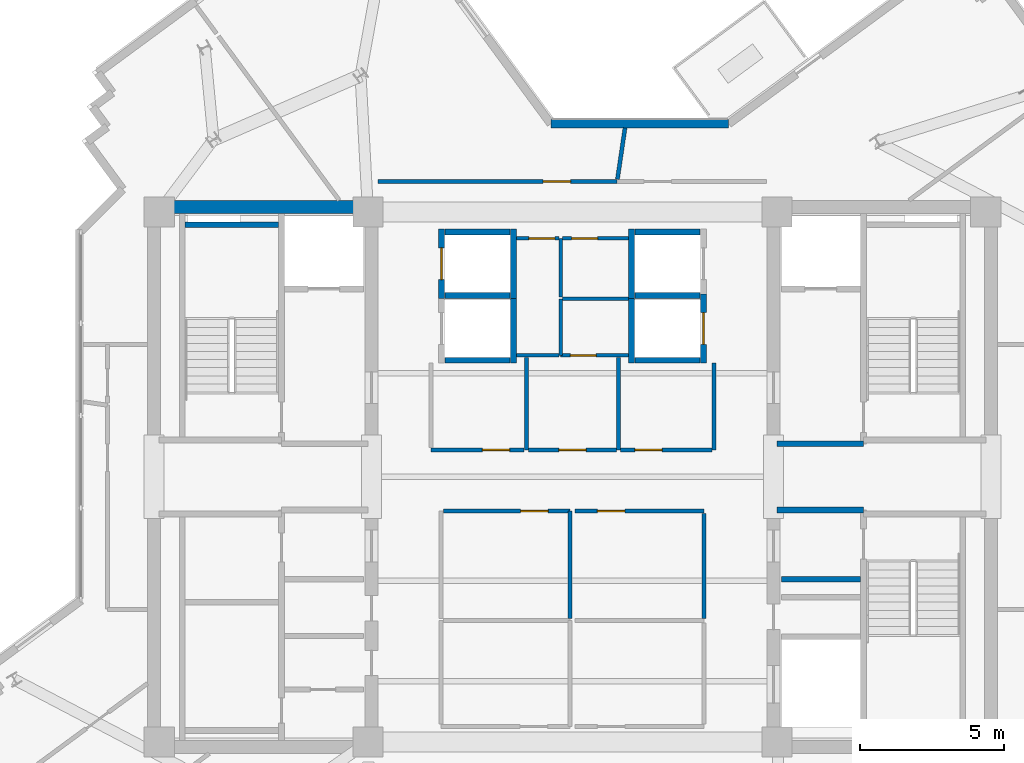
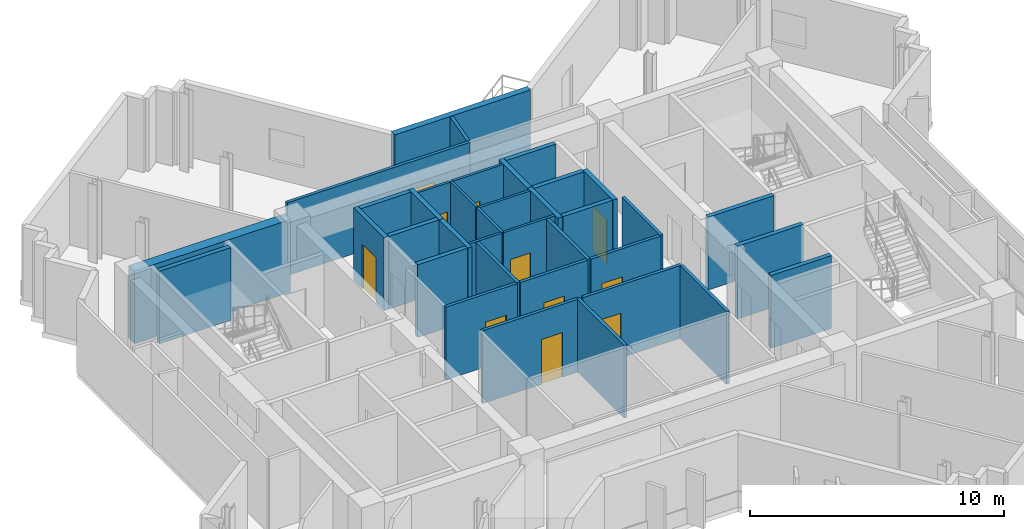
# One storey, part 8 of 13: 37 walls, 11 doors, 11 openings.
"""IFC4 building model written with IfcOpenShell, lengths in metres."""

from ifc_helpers import new_model, si_unit, direction, frame, frame_2d, origin, place, context, subcontext, project, spatial, rectangle, extrude, source, transform, mapped, material, layer, layer_set, type_object, element, fill, save


model = new_model("IFC4")

# Units and contexts
model_context = context("Model", 3, precision=1e-05, world=origin(), true_north=direction((0.0, 1.0)))
body_context = subcontext(model_context, "Body", "Model", "MODEL_VIEW")
ifc_project = project(units=[si_unit("LENGTHUNIT", "METRE"), si_unit("AREAUNIT", "SQUARE_METRE"), si_unit("VOLUMEUNIT", "CUBIC_METRE"), si_unit("PLANEANGLEUNIT", "RADIAN"), si_unit("MASSUNIT", "GRAM", prefix="KILO")], contexts=[model_context])

# Site, building, storey
site_placement = place(None, origin())
site = spatial("IfcSite", under=ifc_project, at=site_placement, CompositionType="ELEMENT")
building_placement = place(site_placement, origin())
building = spatial("IfcBuilding", under=site, at=building_placement, Name="Zahravan Cultural Tower", CompositionType="ELEMENT")
storey_placement = place(building_placement, frame((0.0, 0.0, 276.60009765625)))
storey = spatial("IfcBuildingStorey", under=building, at=storey_placement, Name="L66", CompositionType="ELEMENT", Elevation=276.60009765625)

# Wall, opening, door
ifc_material_1 = material(Name="Gypsum plasterboard partition")
ifc_layer_1 = layer(ifc_material_1, 0.139892578125)
ifc_layer_set_1 = layer_set([ifc_layer_1], Name="Gypsum plasterboard partition")
wall_type_1 = type_object("IfcWallType", Name="W-PART-140", PredefinedType="PARTITIONING", material=ifc_layer_set_1)
wall_1_placement = place(storey_placement, frame((37.52490234375, 27.93994140625, 0.0), z_axis=(0.0, 0.0, 1.0), x_axis=(-1.0, 0.0, 0.0)))
wall_1 = element("IfcWall", 1, at=wall_1_placement, inside=storey, type_object=wall_type_1, Name="L66 Interior Wall 053", PredefinedType="PARTITIONING", context=body_context, shape_type="SweptSolid", body=[
    extrude(rectangle(XDim=3.0498046875, YDim=0.139892578125, at=frame_2d((1.52490234375, 0.0))), origin(), (0.0, 0.0, 1.0), 3.5),
])
opening_1_placement = place(wall_1_placement, frame((1.050048828125, 0.0, 0.0)))
opening_1 = element("IfcOpeningElement", 2, at=opening_1_placement, cuts=wall_1, Name="Opening D-L66-21", PredefinedType="OPENING", context=body_context, shape_type="SweptSolid", body=[
    extrude(rectangle(XDim=0.949951171875, YDim=2.14990234375, at=frame_2d((0.47509765625, 1.074951171875))), frame((0.0, 0.079833984375, 0.0), z_axis=(0.0, -1.0, 0.0), x_axis=(1.0, 0.0, 0.0)), (0.0, 0.0, 1.0), 0.159912109375),
])
ifc_material_2 = material(Name="Anodised bronze-aluminium mullion", Category="aluminium")
door_type_1 = type_object("IfcDoorType", Name="DR-ROOM-950", OperationType="NOTDEFINED", PredefinedType="DOOR", material=ifc_material_2)
shared_shape_1 = source(origin(), body_context, "Body", "SweptSolid", [
    extrude(rectangle(XDim=0.949951171875, YDim=2.14990234375, at=frame_2d((0.47509765625, 1.074951171875))), frame((0.0, 0.02490234375, 0.0), z_axis=(0.0, -1.0, 0.0), x_axis=(1.0, 0.0, 0.0)), (0.0, 0.0, 1.0), 0.050048828125),
])
door_1_placement = place(opening_1_placement, origin())
door_1 = element("IfcDoor", 3, at=door_1_placement, inside=storey, type_object=door_type_1, Name="L66 Door D-L66-21", OperationType="SINGLE_SWING_LEFT", OverallHeight=2.14990234375, OverallWidth=0.949951171875, PredefinedType="DOOR", context=body_context, shape_type="MappedRepresentation", body=[
    mapped(shared_shape_1, transform((0.0, 0.0, 0.0), x_axis=(1.0, 0.0, 0.0), y_axis=(0.0, 1.0, 0.0), z_axis=(0.0, 0.0, 1.0), scale=1.0)),
])
fill(opening_1, door_1)

wall_2_placement = place(storey_placement, frame((34.324951171875, 27.93994140625, 0.0), z_axis=(0.0, 0.0, 1.0), x_axis=(-1.0, 0.0, 0.0)))
wall_2 = element("IfcWall", 4, at=wall_2_placement, inside=storey, type_object=wall_type_1, Name="L66 Interior Wall 054", PredefinedType="PARTITIONING", context=body_context, shape_type="SweptSolid", body=[
    extrude(rectangle(XDim=3.244873046875, YDim=0.139892578125, at=frame_2d((1.62255859375, 0.0))), origin(), (0.0, 0.0, 1.0), 3.5),
])
opening_2_placement = place(wall_2_placement, frame((0.5048828125, 0.0, 0.0)))
opening_2 = element("IfcOpeningElement", 5, at=opening_2_placement, cuts=wall_2, Name="Opening D-L66-20", PredefinedType="OPENING", context=body_context, shape_type="SweptSolid", body=[
    extrude(rectangle(XDim=0.949951171875, YDim=2.14990234375, at=frame_2d((0.47509765625, 1.074951171875))), frame((0.0, 0.079833984375, 0.0), z_axis=(0.0, -1.0, 0.0), x_axis=(1.0, 0.0, 0.0)), (0.0, 0.0, 1.0), 0.159912109375),
])
door_2_placement = place(opening_2_placement, origin())
door_2 = element("IfcDoor", 6, at=door_2_placement, inside=storey, type_object=door_type_1, Name="L66 Door D-L66-20", OperationType="SINGLE_SWING_RIGHT", OverallHeight=2.14990234375, OverallWidth=0.949951171875, PredefinedType="DOOR", context=body_context, shape_type="MappedRepresentation", body=[
    mapped(shared_shape_1, transform((0.0, 0.0, 0.0), x_axis=(1.0, 0.0, 0.0), y_axis=(0.0, 1.0, 0.0), z_axis=(0.0, 0.0, 1.0), scale=1.0)),
])
fill(opening_2, door_2)

wall_3_placement = place(storey_placement, frame((40.844970703125, 27.93994140625, 0.0), z_axis=(0.0, 0.0, 1.0), x_axis=(-1.0, 0.0, 0.0)))
wall_3 = element("IfcWall", 7, at=wall_3_placement, inside=storey, type_object=wall_type_1, Name="L66 Interior Wall 057", PredefinedType="PARTITIONING", context=body_context, shape_type="SweptSolid", body=[
    extrude(rectangle(XDim=3.169921875, YDim=0.139892578125, at=frame_2d((1.5849609375, 0.0))), origin(), (0.0, 0.0, 1.0), 3.5),
])
opening_3_placement = place(wall_3_placement, frame((1.731689453125, 0.0, 0.0)))
opening_3 = element("IfcOpeningElement", 8, at=opening_3_placement, cuts=wall_3, Name="Opening D-L66-22", PredefinedType="OPENING", context=body_context, shape_type="SweptSolid", body=[
    extrude(rectangle(XDim=0.949951171875, YDim=2.14990234375, at=frame_2d((0.47509765625, 1.074951171875))), frame((0.0, 0.079833984375, 0.0), z_axis=(0.0, -1.0, 0.0), x_axis=(1.0, 0.0, 0.0)), (0.0, 0.0, 1.0), 0.159912109375),
])
door_3_placement = place(opening_3_placement, origin())
door_3 = element("IfcDoor", 9, at=door_3_placement, inside=storey, type_object=door_type_1, Name="L66 Door D-L66-22", OperationType="SINGLE_SWING_RIGHT", OverallHeight=2.14990234375, OverallWidth=0.949951171875, PredefinedType="DOOR", context=body_context, shape_type="MappedRepresentation", body=[
    mapped(shared_shape_1, transform((0.0, 0.0, 0.0), x_axis=(1.0, 0.0, 0.0), y_axis=(0.0, 1.0, 0.0), z_axis=(0.0, 0.0, 1.0), scale=1.0)),
])
fill(opening_3, door_3)

wall_4_placement = place(storey_placement, frame((31.514892578125, 25.81005859375, 0.0), z_axis=(0.0, 0.0, 1.0), x_axis=(1.0, 0.0, 0.0)))
wall_4 = element("IfcWall", 10, at=wall_4_placement, inside=storey, type_object=wall_type_1, Name="L66 Interior Wall 066", PredefinedType="PARTITIONING", context=body_context, shape_type="SweptSolid", body=[
    extrude(rectangle(XDim=4.39501953125, YDim=0.139892578125, at=frame_2d((2.197509765625, 0.0))), origin(), (0.0, 0.0, 1.0), 3.5),
])
opening_4_placement = place(wall_4_placement, frame((2.68701171875, 0.0, 0.0)))
opening_4 = element("IfcOpeningElement", 11, at=opening_4_placement, cuts=wall_4, Name="Opening D-L66-15", PredefinedType="OPENING", context=body_context, shape_type="SweptSolid", body=[
    extrude(rectangle(XDim=0.949951171875, YDim=2.14990234375, at=frame_2d((0.47509765625, 1.074951171875))), frame((0.0, 0.079833984375, 0.0), z_axis=(0.0, -1.0, 0.0), x_axis=(1.0, 0.0, 0.0)), (0.0, 0.0, 1.0), 0.159912109375),
])
door_4_placement = place(opening_4_placement, origin())
door_4 = element("IfcDoor", 12, at=door_4_placement, inside=storey, type_object=door_type_1, Name="L66 Door D-L66-15", OperationType="SINGLE_SWING_LEFT", OverallHeight=2.14990234375, OverallWidth=0.949951171875, PredefinedType="DOOR", context=body_context, shape_type="MappedRepresentation", body=[
    mapped(shared_shape_1, transform((0.0, 0.0, 0.0), x_axis=(1.0, 0.0, 0.0), y_axis=(0.0, 1.0, 0.0), z_axis=(0.0, 0.0, 1.0), scale=1.0)),
])
fill(opening_4, door_4)

wall_5_placement = place(storey_placement, frame((36.090087890625, 25.81005859375, 0.0), z_axis=(0.0, 0.0, 1.0), x_axis=(1.0, 0.0, 0.0)))
wall_5 = element("IfcWall", 13, at=wall_5_placement, inside=storey, type_object=wall_type_1, Name="L66 Interior Wall 068", PredefinedType="PARTITIONING", context=body_context, shape_type="SweptSolid", body=[
    extrude(rectangle(XDim=4.469970703125, YDim=0.139892578125, at=frame_2d((2.23486328125, 0.0))), origin(), (0.0, 0.0, 1.0), 3.5),
])
opening_5_placement = place(wall_5_placement, frame((0.7744140625, 0.0, 0.0)))
opening_5 = element("IfcOpeningElement", 14, at=opening_5_placement, cuts=wall_5, Name="Opening D-L66-17", PredefinedType="OPENING", context=body_context, shape_type="SweptSolid", body=[
    extrude(rectangle(XDim=0.949951171875, YDim=2.14990234375, at=frame_2d((0.47509765625, 1.074951171875))), frame((0.0, 0.079833984375, 0.0), z_axis=(0.0, -1.0, 0.0), x_axis=(1.0, 0.0, 0.0)), (0.0, 0.0, 1.0), 0.159912109375),
])
door_5_placement = place(opening_5_placement, origin())
door_5 = element("IfcDoor", 15, at=door_5_placement, inside=storey, type_object=door_type_1, Name="L66 Door D-L66-17", OperationType="SINGLE_SWING_LEFT", OverallHeight=2.14990234375, OverallWidth=0.949951171875, PredefinedType="DOOR", context=body_context, shape_type="MappedRepresentation", body=[
    mapped(shared_shape_1, transform((0.0, 0.0, 0.0), x_axis=(1.0, 0.0, 0.0), y_axis=(0.0, 1.0, 0.0), z_axis=(0.0, 0.0, 1.0), scale=1.0)),
])
fill(opening_5, door_5)

wall_6_placement = place(storey_placement, frame((37.55029296875, 37.260009765625, 0.0), z_axis=(0.0, 0.0, 1.0), x_axis=(-0.999999998268, -5.8852956e-05, 0.0)))
wall_6 = element("IfcWall", 16, at=wall_6_placement, inside=storey, type_object=wall_type_1, Name="L66 Interior Wall 103", PredefinedType="PARTITIONING", context=body_context, shape_type="SweptSolid", body=[
    extrude(rectangle(XDim=8.296630859375, YDim=0.139892578125, at=frame_2d((4.1484375, 0.0))), origin(), (0.0, 0.0, 1.0), 3.5),
])
opening_6_placement = place(wall_6_placement, frame((1.6162109375, 0.0, 0.0)))
opening_6 = element("IfcOpeningElement", 17, at=opening_6_placement, cuts=wall_6, Name="Opening D-L66-25", PredefinedType="OPENING", context=body_context, shape_type="SweptSolid", body=[
    extrude(rectangle(XDim=0.949951171875, YDim=2.14990234375, at=frame_2d((0.47509765625, 1.074951171875))), frame((0.0, 0.079833984375, 0.0), z_axis=(0.0, -1.0, 0.0), x_axis=(1.0, 0.0, 0.0)), (0.0, 0.0, 1.0), 0.159912109375),
])
door_6_placement = place(opening_6_placement, origin())
door_6 = element("IfcDoor", 18, at=door_6_placement, inside=storey, type_object=door_type_1, Name="L66 Door D-L66-25", OperationType="SINGLE_SWING_LEFT", OverallHeight=2.14990234375, OverallWidth=0.949951171875, PredefinedType="DOOR", context=body_context, shape_type="MappedRepresentation", body=[
    mapped(shared_shape_1, transform((0.0, 0.0, 0.0), x_axis=(1.0, 0.0, 0.0), y_axis=(0.0, 1.0, 0.0), z_axis=(0.0, 0.0, 1.0), scale=1.0)),
])
fill(opening_6, door_6)

ifc_material_3 = material(Name="Concrete C45/55", Category="concrete")
ifc_layer_2 = layer(ifc_material_3, 0.199951171875)
ifc_layer_set_2 = layer_set([ifc_layer_2], Name="Concrete C45/55")
wall_type_2 = type_object("IfcWallType", Name="W-SHAFT-200", PredefinedType="SOLIDWALL", material=ifc_layer_set_2)
wall_7_placement = place(storey_placement, frame((31.449951171875, 33.199951171875, 0.0), z_axis=(0.0, 0.0, 1.0), x_axis=(0.0, 1.0, 0.0)))
wall_7 = element("IfcWall", 19, at=wall_7_placement, inside=storey, type_object=wall_type_2, Name="L66 Interior Wall 030", PredefinedType="SOLIDWALL", context=body_context, shape_type="SweptSolid", body=[
    extrude(rectangle(XDim=2.400146484375, YDim=0.199951171875, at=frame_2d((1.2001953125, 0.0))), origin(), (0.0, 0.0, 1.0), 3.5),
])
opening_7_placement = place(wall_7_placement, frame((0.64990234375, 0.0, 0.0)))
opening_7 = element("IfcOpeningElement", 20, at=opening_7_placement, cuts=wall_7, Name="Opening LD-L66-04", PredefinedType="OPENING", context=body_context, shape_type="SweptSolid", body=[
    extrude(rectangle(XDim=1.10009765625, YDim=2.14990234375, at=frame_2d((0.550048828125, 1.074951171875))), frame((0.0, 0.10986328125, 0.0), z_axis=(0.0, -1.0, 0.0), x_axis=(1.0, 0.0, 0.0)), (0.0, 0.0, 1.0), 0.219970703125),
])
ifc_material_4 = material(Name="Steel ASTM A572 Grade 50", Category="steel")
door_type_2 = type_object("IfcDoorType", Name="DR-LIFT-1100", OperationType="DOUBLE_DOOR_SLIDING", PredefinedType="DOOR", material=ifc_material_4)
shared_shape_2 = source(origin(), body_context, "Body", "SweptSolid", [
    extrude(rectangle(XDim=1.10009765625, YDim=2.14990234375, at=frame_2d((0.550048828125, 1.074951171875))), frame((0.0, 0.02490234375, 0.0), z_axis=(0.0, -1.0, 0.0), x_axis=(1.0, 0.0, 0.0)), (0.0, 0.0, 1.0), 0.050048828125),
])
door_7_placement = place(opening_7_placement, origin())
door_7 = element("IfcDoor", 21, at=door_7_placement, inside=storey, type_object=door_type_2, Name="L66 Door LD-L66-04", OperationType="DOUBLE_DOOR_SLIDING", OverallHeight=2.14990234375, OverallWidth=1.10009765625, PredefinedType="DOOR", context=body_context, shape_type="MappedRepresentation", body=[
    mapped(shared_shape_2, transform((0.0, 0.0, 0.0), x_axis=(1.0, 0.0, 0.0), y_axis=(0.0, 1.0, 0.0), z_axis=(0.0, 0.0, 1.0), scale=1.0)),
])
fill(opening_7, door_7)

wall_8_placement = place(storey_placement, frame((40.550048828125, 30.949951171875, 0.0), z_axis=(0.0, 0.0, 1.0), x_axis=(0.0, 1.0, 0.0)))
wall_8 = element("IfcWall", 22, at=wall_8_placement, inside=storey, type_object=wall_type_2, Name="L66 Interior Wall 042", PredefinedType="SOLIDWALL", context=body_context, shape_type="SweptSolid", body=[
    extrude(rectangle(XDim=2.400146484375, YDim=0.199951171875, at=frame_2d((1.2001953125, 0.0))), origin(), (0.0, 0.0, 1.0), 3.5),
])
opening_8_placement = place(wall_8_placement, frame((0.64990234375, 0.0, 0.0)))
opening_8 = element("IfcOpeningElement", 23, at=opening_8_placement, cuts=wall_8, Name="Opening LD-L66-07", PredefinedType="OPENING", context=body_context, shape_type="SweptSolid", body=[
    extrude(rectangle(XDim=1.10009765625, YDim=2.14990234375, at=frame_2d((0.550048828125, 1.074951171875))), frame((0.0, 0.10986328125, 0.0), z_axis=(0.0, -1.0, 0.0), x_axis=(1.0, 0.0, 0.0)), (0.0, 0.0, 1.0), 0.219970703125),
])
door_8_placement = place(opening_8_placement, origin())
door_8 = element("IfcDoor", 24, at=door_8_placement, inside=storey, type_object=door_type_2, Name="L66 Door LD-L66-07", OperationType="DOUBLE_DOOR_SLIDING", OverallHeight=2.14990234375, OverallWidth=1.10009765625, PredefinedType="DOOR", context=body_context, shape_type="MappedRepresentation", body=[
    mapped(shared_shape_2, transform((0.0, 0.0, 0.0), x_axis=(1.0, 0.0, 0.0), y_axis=(0.0, 1.0, 0.0), z_axis=(0.0, 0.0, 1.0), scale=1.0)),
])
fill(opening_8, door_8)

ifc_layer_3 = layer(ifc_material_1, 0.114990234375)
ifc_layer_set_3 = layer_set([ifc_layer_3], Name="Gypsum plasterboard partition")
wall_type_3 = type_object("IfcWallType", Name="W-WC-115", PredefinedType="PARTITIONING", material=ifc_layer_set_3)
wall_9_placement = place(storey_placement, frame((37.945068359375, 31.219970703125, 0.0), z_axis=(0.0, 0.0, 1.0), x_axis=(-1.0, 0.0, 0.0)))
wall_9 = element("IfcWall", 25, at=wall_9_placement, inside=storey, type_object=wall_type_3, Name="L66 Interior Wall 044", PredefinedType="PARTITIONING", context=body_context, shape_type="SweptSolid", body=[
    extrude(rectangle(XDim=2.35498046875, YDim=0.114990234375, at=frame_2d((1.177490234375, 0.0))), origin(), (0.0, 0.0, 1.0), 3.5),
])
opening_9_placement = place(wall_9_placement, frame((1.120849609375, 0.0, 0.0)))
opening_9 = element("IfcOpeningElement", 26, at=opening_9_placement, cuts=wall_9, Name="Opening D-L66-32", PredefinedType="OPENING", context=body_context, shape_type="SweptSolid", body=[
    extrude(rectangle(XDim=0.89990234375, YDim=2.10009765625, at=frame_2d((0.449951171875, 1.050048828125))), frame((0.0, 0.0673828125, 0.0), z_axis=(0.0, -1.0, 0.0), x_axis=(1.0, 0.0, 0.0)), (0.0, 0.0, 1.0), 0.135009765625),
])
door_type_3 = type_object("IfcDoorType", Name="DR-WC-900", OperationType="NOTDEFINED", PredefinedType="DOOR", material=ifc_material_2)
shared_shape_3 = source(origin(), body_context, "Body", "SweptSolid", [
    extrude(rectangle(XDim=0.89990234375, YDim=2.10009765625, at=frame_2d((0.449951171875, 1.050048828125))), frame((0.0, 0.02490234375, 0.0), z_axis=(0.0, -1.0, 0.0), x_axis=(1.0, 0.0, 0.0)), (0.0, 0.0, 1.0), 0.050048828125),
])
door_9_placement = place(opening_9_placement, origin())
door_9 = element("IfcDoor", 27, at=door_9_placement, inside=storey, type_object=door_type_3, Name="L66 Door D-L66-32", OperationType="SINGLE_SWING_RIGHT", OverallHeight=2.10009765625, OverallWidth=0.89990234375, PredefinedType="DOOR", context=body_context, shape_type="MappedRepresentation", body=[
    mapped(shared_shape_3, transform((0.0, 0.0, 0.0), x_axis=(1.0, 0.0, 0.0), y_axis=(0.0, 1.0, 0.0), z_axis=(0.0, 0.0, 1.0), scale=1.0)),
])
fill(opening_9, door_9)

wall_10_placement = place(storey_placement, frame((35.652587890625, 35.280029296875, 0.0), z_axis=(0.0, 0.0, 1.0), x_axis=(1.0, 0.0, 0.0)))
wall_10 = element("IfcWall", 28, at=wall_10_placement, inside=storey, type_object=wall_type_3, Name="L66 Interior Wall 048", PredefinedType="PARTITIONING", context=body_context, shape_type="SweptSolid", body=[
    extrude(rectangle(XDim=2.29248046875, YDim=0.114990234375, at=frame_2d((1.146240234375, 0.0))), origin(), (0.0, 0.0, 1.0), 3.5),
])
opening_10_placement = place(wall_10_placement, frame((0.3203125, 0.0, 0.0)))
opening_10 = element("IfcOpeningElement", 29, at=opening_10_placement, cuts=wall_10, Name="Opening D-L66-19", PredefinedType="OPENING", context=body_context, shape_type="SweptSolid", body=[
    extrude(rectangle(XDim=0.89990234375, YDim=2.10009765625, at=frame_2d((0.449951171875, 1.050048828125))), frame((0.0, 0.0673828125, 0.0), z_axis=(0.0, -1.0, 0.0), x_axis=(1.0, 0.0, 0.0)), (0.0, 0.0, 1.0), 0.135009765625),
])
door_10_placement = place(opening_10_placement, origin())
door_10 = element("IfcDoor", 30, at=door_10_placement, inside=storey, type_object=door_type_3, Name="L66 Door D-L66-19", OperationType="SINGLE_SWING_LEFT", OverallHeight=2.10009765625, OverallWidth=0.89990234375, PredefinedType="DOOR", context=body_context, shape_type="MappedRepresentation", body=[
    mapped(shared_shape_3, transform((0.0, 0.0, 0.0), x_axis=(1.0, 0.0, 0.0), y_axis=(0.0, 1.0, 0.0), z_axis=(0.0, 0.0, 1.0), scale=1.0)),
])
fill(opening_10, door_10)

wall_11_placement = place(storey_placement, frame((34.054931640625, 35.280029296875, 0.0), z_axis=(0.0, 0.0, 1.0), x_axis=(1.0, 0.0, 0.0)))
wall_11 = element("IfcWall", 31, at=wall_11_placement, inside=storey, type_object=wall_type_3, Name="L66 Interior Wall 050", PredefinedType="PARTITIONING", context=body_context, shape_type="SweptSolid", body=[
    extrude(rectangle(XDim=1.47265625, YDim=0.114990234375, at=frame_2d((0.736328125, 0.0))), origin(), (0.0, 0.0, 1.0), 3.5),
])
opening_11_placement = place(wall_11_placement, frame((0.4326171875, 0.0, 0.0)))
opening_11 = element("IfcOpeningElement", 32, at=opening_11_placement, cuts=wall_11, Name="Opening D-L66-18", PredefinedType="OPENING", context=body_context, shape_type="SweptSolid", body=[
    extrude(rectangle(XDim=0.89990234375, YDim=2.10009765625, at=frame_2d((0.449951171875, 1.050048828125))), frame((0.0, 0.0673828125, 0.0), z_axis=(0.0, -1.0, 0.0), x_axis=(1.0, 0.0, 0.0)), (0.0, 0.0, 1.0), 0.135009765625),
])
door_11_placement = place(opening_11_placement, origin())
door_11 = element("IfcDoor", 33, at=door_11_placement, inside=storey, type_object=door_type_3, Name="L66 Door D-L66-18", OperationType="SINGLE_SWING_RIGHT", OverallHeight=2.10009765625, OverallWidth=0.89990234375, PredefinedType="DOOR", context=body_context, shape_type="MappedRepresentation", body=[
    mapped(shared_shape_3, transform((0.0, 0.0, 0.0), x_axis=(1.0, 0.0, 0.0), y_axis=(0.0, 1.0, 0.0), z_axis=(0.0, 0.0, 1.0), scale=1.0)),
])
fill(opening_11, door_11)

# Walls
ifc_material_5 = material(Name="Concrete C50/60", Category="concrete")
ifc_layer_4 = layer(ifc_material_5, 0.449951171875)
ifc_layer_set_4 = layer_set([ifc_layer_4], Name="Concrete C50/60")
wall_type_4 = type_object("IfcWallType", Name="CW-SHEAR-450-C50", PredefinedType="SHEAR", material=ifc_layer_set_4)
shared_shape_4 = source(origin(), body_context, "Body", "SweptSolid", [
    extrude(rectangle(XDim=7.10009765625, YDim=0.449951171875, at=frame_2d((3.550048828125, 0.0))), origin(), (0.0, 0.0, 1.0), 3.5),
])
wall_12_placement = place(storey_placement, frame((21.699951171875, 36.375, 0.0), z_axis=(0.0, 0.0, 1.0), x_axis=(1.0, 0.0, 0.0)))
element("IfcWall", 34, at=wall_12_placement, inside=storey, type_object=wall_type_4, Name="L66 Core Shear Wall CW-W-N-L66", PredefinedType="SHEAR", context=body_context, shape_type="MappedRepresentation", body=[
    mapped(shared_shape_4, transform((0.0, 0.0, 0.0), x_axis=(1.0, 0.0, 0.0), y_axis=(0.0, 1.0, 0.0), z_axis=(0.0, 0.0, 1.0), scale=1.0)),
])
ifc_material_6 = material(Name="Precast concrete C40/50", Category="concrete")
ifc_layer_5 = layer(ifc_material_6, 0.280029296875)
ifc_layer_set_5 = layer_set([ifc_layer_5], Name="Precast concrete C40/50")
wall_type_5 = type_object("IfcWallType", Name="EW-TC-280", PredefinedType="SOLIDWALL", material=ifc_layer_set_5)
shared_shape_5 = source(origin(), body_context, "Body", "SweptSolid", [
    extrude(rectangle(XDim=6.176513671875, YDim=0.280029296875, at=frame_2d((3.08837890625, 0.0))), origin(), (0.0, 0.0, 1.0), 3.5),
])
wall_13_placement = place(storey_placement, frame((35.24658203125, 39.260009765625, 0.0), z_axis=(0.0, 0.0, 1.0), x_axis=(1.0, 0.0, 0.0)))
element("IfcWall", 35, at=wall_13_placement, inside=storey, type_object=wall_type_5, Name="L66 Exterior Masonry Frame Wall 48", PredefinedType="SOLIDWALL", context=body_context, shape_type="MappedRepresentation", body=[
    mapped(shared_shape_5, transform((0.0, 0.0, 0.0), x_axis=(1.0, 0.0, 0.0), y_axis=(0.0, 1.0, 0.0), z_axis=(0.0, 0.0, 1.0), scale=1.0)),
])
shared_shape_6 = source(origin(), body_context, "Body", "SweptSolid", [
    extrude(rectangle(XDim=3.0, YDim=0.199951171875, at=frame_2d((1.5, 0.0))), origin(), (0.0, 0.0, 1.0), 3.5),
])
for number, where, z_axis, x_axis, name in (
    (36, (43.10009765625, 25.85009765625, 0.0), (0.0, 0.0, 1.0), (1.0, 0.0, 0.0), "L66 Interior Wall 013"),
    (37, (43.10009765625, 28.14990234375, 0.0), (0.0, 0.0, 1.0), (1.0, 0.0, 0.0), "L66 Interior Wall 015"),
):
    element("IfcWall", number, at=place(storey_placement, frame(where, z_axis=z_axis, x_axis=x_axis)), inside=storey, type_object=wall_type_2, Name=name, PredefinedType="SOLIDWALL", context=body_context, shape_type="MappedRepresentation", body=[
        mapped(shared_shape_6, transform((0.0, 0.0, 0.0), x_axis=(1.0, 0.0, 0.0), y_axis=(0.0, 1.0, 0.0), z_axis=(0.0, 0.0, 1.0), scale=1.0)),
    ])
shared_shape_7 = source(origin(), body_context, "Body", "SweptSolid", [
    extrude(rectangle(XDim=3.25, YDim=0.199951171875, at=frame_2d((1.625, 0.0))), origin(), (0.0, 0.0, 1.0), 3.5),
])
wall_14_placement = place(storey_placement, frame((22.550048828125, 35.75, 0.0), z_axis=(0.0, 0.0, 1.0), x_axis=(1.0, 0.0, 0.0)))
element("IfcWall", 38, at=wall_14_placement, inside=storey, type_object=wall_type_2, Name="L66 Interior Wall 017", PredefinedType="SOLIDWALL", context=body_context, shape_type="MappedRepresentation", body=[
    mapped(shared_shape_7, transform((0.0, 0.0, 0.0), x_axis=(1.0, 0.0, 0.0), y_axis=(0.0, 1.0, 0.0), z_axis=(0.0, 0.0, 1.0), scale=1.0)),
])
shared_shape_8 = source(origin(), body_context, "Body", "SweptSolid", [
    extrude(rectangle(XDim=2.75, YDim=0.199951171875, at=frame_2d((1.375, 0.0))), origin(), (0.0, 0.0, 1.0), 3.5),
])
wall_15_placement = place(storey_placement, frame((43.25, 23.449951171875, 0.0), z_axis=(0.0, 0.0, 1.0), x_axis=(1.0, 0.0, 0.0)))
element("IfcWall", 39, at=wall_15_placement, inside=storey, type_object=wall_type_2, Name="L66 Interior Wall 025", PredefinedType="SOLIDWALL", context=body_context, shape_type="MappedRepresentation", body=[
    mapped(shared_shape_8, transform((0.0, 0.0, 0.0), x_axis=(1.0, 0.0, 0.0), y_axis=(0.0, 1.0, 0.0), z_axis=(0.0, 0.0, 1.0), scale=1.0)),
])
shared_shape_9 = source(origin(), body_context, "Body", "SweptSolid", [
    extrude(rectangle(XDim=2.400146484375, YDim=0.199951171875, at=frame_2d((1.2001953125, 0.0))), origin(), (0.0, 0.0, 1.0), 3.5),
])
for number, where, z_axis, x_axis, name in (
    (40, (33.949951171875, 33.199951171875, 0.0), (0.0, 0.0, 1.0), (0.0, 1.0, 0.0), "L66 Interior Wall 031"),
    (41, (33.949951171875, 30.949951171875, 0.0), (0.0, 0.0, 1.0), (0.0, 1.0, 0.0), "L66 Interior Wall 035"),
    (42, (38.050048828125, 33.199951171875, 0.0), (0.0, 0.0, 1.0), (0.0, 1.0, 0.0), "L66 Interior Wall 037"),
    (43, (38.050048828125, 30.949951171875, 0.0), (0.0, 0.0, 1.0), (0.0, 1.0, 0.0), "L66 Interior Wall 041"),
):
    element("IfcWall", number, at=place(storey_placement, frame(where, z_axis=z_axis, x_axis=x_axis)), inside=storey, type_object=wall_type_2, Name=name, PredefinedType="SOLIDWALL", context=body_context, shape_type="MappedRepresentation", body=[
        mapped(shared_shape_9, transform((0.0, 0.0, 0.0), x_axis=(1.0, 0.0, 0.0), y_axis=(0.0, 1.0, 0.0), z_axis=(0.0, 0.0, 1.0), scale=1.0)),
    ])
shared_shape_10 = source(origin(), body_context, "Body", "SweptSolid", [
    extrude(rectangle(XDim=2.260009765625, YDim=0.199951171875, at=frame_2d((1.1298828125, 0.0))), origin(), (0.0, 0.0, 1.0), 3.5),
])
for number, where, z_axis, x_axis, name in (
    (44, (31.570068359375, 33.300048828125, 0.0), (0.0, 0.0, 1.0), (1.0, 0.0, 0.0), "L66 Interior Wall 032"),
    (45, (31.570068359375, 35.5, 0.0), (0.0, 0.0, 1.0), (1.0, 0.0, 0.0), "L66 Interior Wall 033"),
    (46, (31.570068359375, 31.050048828125, 0.0), (0.0, 0.0, 1.0), (1.0, 0.0, 0.0), "L66 Interior Wall 036"),
    (47, (38.169921875, 33.300048828125, 0.0), (0.0, 0.0, 1.0), (1.0, 0.0, 0.0), "L66 Interior Wall 039"),
    (48, (38.169921875, 35.5, 0.0), (0.0, 0.0, 1.0), (1.0, 0.0, 0.0), "L66 Interior Wall 040"),
    (49, (38.169921875, 31.050048828125, 0.0), (0.0, 0.0, 1.0), (1.0, 0.0, 0.0), "L66 Interior Wall 043"),
):
    element("IfcWall", number, at=place(storey_placement, frame(where, z_axis=z_axis, x_axis=x_axis)), inside=storey, type_object=wall_type_2, Name=name, PredefinedType="SOLIDWALL", context=body_context, shape_type="MappedRepresentation", body=[
        mapped(shared_shape_10, transform((0.0, 0.0, 0.0), x_axis=(1.0, 0.0, 0.0), y_axis=(0.0, 1.0, 0.0), z_axis=(0.0, 0.0, 1.0), scale=1.0)),
    ])
shared_shape_11 = source(origin(), body_context, "Body", "SweptSolid", [
    extrude(rectangle(XDim=1.9599609375, YDim=0.114990234375, at=frame_2d((0.97998046875, 0.0))), origin(), (0.0, 0.0, 1.0), 3.5),
])
wall_16_placement = place(storey_placement, frame((35.590087890625, 31.219970703125, 0.0), z_axis=(0.0, 0.0, 1.0), x_axis=(0.0, 1.0, 0.0)))
element("IfcWall", 50, at=wall_16_placement, inside=storey, type_object=wall_type_3, Name="L66 Interior Wall 045", PredefinedType="PARTITIONING", context=body_context, shape_type="MappedRepresentation", body=[
    mapped(shared_shape_11, transform((0.0, 0.0, 0.0), x_axis=(1.0, 0.0, 0.0), y_axis=(0.0, 1.0, 0.0), z_axis=(0.0, 0.0, 1.0), scale=1.0)),
])
shared_shape_12 = source(origin(), body_context, "Body", "SweptSolid", [
    extrude(rectangle(XDim=2.29248046875, YDim=0.114990234375, at=frame_2d((1.146240234375, 0.0))), origin(), (0.0, 0.0, 1.0), 3.5),
])
wall_17_placement = place(storey_placement, frame((35.652587890625, 33.179931640625, 0.0), z_axis=(0.0, 0.0, 1.0), x_axis=(1.0, 0.0, 0.0)))
element("IfcWall", 51, at=wall_17_placement, inside=storey, type_object=wall_type_3, Name="L66 Interior Wall 046", PredefinedType="PARTITIONING", context=body_context, shape_type="MappedRepresentation", body=[
    mapped(shared_shape_12, transform((0.0, 0.0, 0.0), x_axis=(1.0, 0.0, 0.0), y_axis=(0.0, 1.0, 0.0), z_axis=(0.0, 0.0, 1.0), scale=1.0)),
])
shared_shape_13 = source(origin(), body_context, "Body", "SweptSolid", [
    extrude(rectangle(XDim=2.0400390625, YDim=0.114990234375, at=frame_2d((1.02001953125, 0.0))), origin(), (0.0, 0.0, 1.0), 3.5),
])
wall_18_placement = place(storey_placement, frame((35.590087890625, 33.239990234375, 0.0), z_axis=(0.0, 0.0, 1.0), x_axis=(0.0, 1.0, 0.0)))
element("IfcWall", 52, at=wall_18_placement, inside=storey, type_object=wall_type_3, Name="L66 Interior Wall 047", PredefinedType="PARTITIONING", context=body_context, shape_type="MappedRepresentation", body=[
    mapped(shared_shape_13, transform((0.0, 0.0, 0.0), x_axis=(1.0, 0.0, 0.0), y_axis=(0.0, 1.0, 0.0), z_axis=(0.0, 0.0, 1.0), scale=1.0)),
])
shared_shape_14 = source(origin(), body_context, "Body", "SweptSolid", [
    extrude(rectangle(XDim=1.47265625, YDim=0.114990234375, at=frame_2d((0.736328125, 0.0))), origin(), (0.0, 0.0, 1.0), 3.5),
])
wall_19_placement = place(storey_placement, frame((35.527587890625, 31.219970703125, 0.0), z_axis=(0.0, 0.0, 1.0), x_axis=(-1.0, 0.0, 0.0)))
element("IfcWall", 53, at=wall_19_placement, inside=storey, type_object=wall_type_3, Name="L66 Interior Wall 049", PredefinedType="PARTITIONING", context=body_context, shape_type="MappedRepresentation", body=[
    mapped(shared_shape_14, transform((0.0, 0.0, 0.0), x_axis=(1.0, 0.0, 0.0), y_axis=(0.0, 1.0, 0.0), z_axis=(0.0, 0.0, 1.0), scale=1.0)),
])
shared_shape_15 = source(origin(), body_context, "Body", "SweptSolid", [
    extrude(rectangle(XDim=3.010009765625, YDim=0.139892578125, at=frame_2d((1.5048828125, 0.0))), origin(), (0.0, 0.0, 1.0), 3.5),
])
wall_20_placement = place(storey_placement, frame((40.919921875, 30.949951171875, 0.0), z_axis=(0.0, 0.0, 1.0), x_axis=(0.0, -1.0, 0.0)))
element("IfcWall", 54, at=wall_20_placement, inside=storey, type_object=wall_type_1, Name="L66 Interior Wall 056", PredefinedType="PARTITIONING", context=body_context, shape_type="MappedRepresentation", body=[
    mapped(shared_shape_15, transform((0.0, 0.0, 0.0), x_axis=(1.0, 0.0, 0.0), y_axis=(0.0, 1.0, 0.0), z_axis=(0.0, 0.0, 1.0), scale=1.0)),
])
shared_shape_16 = source(origin(), body_context, "Body", "SweptSolid", [
    extrude(rectangle(XDim=3.199951171875, YDim=0.139892578125, at=frame_2d((1.60009765625, 0.0))), origin(), (0.0, 0.0, 1.0), 3.5),
])
for number, where, z_axis, x_axis, name in (
    (55, (34.39990234375, 27.93994140625, 0.0), (0.0, 0.0, 1.0), (0.0, 1.0, 0.0), "L66 Interior Wall 051"),
    (56, (37.60009765625, 31.139892578125, 0.0), (0.0, 0.0, 1.0), (0.0, -1.0, 0.0), "L66 Interior Wall 052"),
):
    element("IfcWall", number, at=place(storey_placement, frame(where, z_axis=z_axis, x_axis=x_axis)), inside=storey, type_object=wall_type_1, Name=name, PredefinedType="PARTITIONING", context=body_context, shape_type="MappedRepresentation", body=[
        mapped(shared_shape_16, transform((0.0, 0.0, 0.0), x_axis=(1.0, 0.0, 0.0), y_axis=(0.0, 1.0, 0.0), z_axis=(0.0, 0.0, 1.0), scale=1.0)),
    ])
shared_shape_17 = source(origin(), body_context, "Body", "SweptSolid", [
    extrude(rectangle(XDim=3.719970703125, YDim=0.139892578125, at=frame_2d((1.85986328125, 0.0))), origin(), (0.0, 0.0, 1.0), 3.5),
])
wall_21_placement = place(storey_placement, frame((35.909912109375, 25.81005859375, 0.0), z_axis=(0.0, 0.0, 1.0), x_axis=(0.0, -1.0, 0.0)))
element("IfcWall", 57, at=wall_21_placement, inside=storey, type_object=wall_type_1, Name="L66 Interior Wall 067", PredefinedType="PARTITIONING", context=body_context, shape_type="MappedRepresentation", body=[
    mapped(shared_shape_17, transform((0.0, 0.0, 0.0), x_axis=(1.0, 0.0, 0.0), y_axis=(0.0, 1.0, 0.0), z_axis=(0.0, 0.0, 1.0), scale=1.0)),
])
shared_shape_18 = source(origin(), body_context, "Body", "SweptSolid", [
    extrude(rectangle(XDim=3.64501953125, YDim=0.139892578125, at=frame_2d((1.822509765625, 0.0))), origin(), (0.0, 0.0, 1.0), 3.5),
])
wall_22_placement = place(storey_placement, frame((40.56005859375, 25.735107421875, 0.0), z_axis=(0.0, 0.0, 1.0), x_axis=(0.0, -1.0, 0.0)))
element("IfcWall", 58, at=wall_22_placement, inside=storey, type_object=wall_type_1, Name="L66 Interior Wall 069", PredefinedType="PARTITIONING", context=body_context, shape_type="MappedRepresentation", body=[
    mapped(shared_shape_18, transform((0.0, 0.0, 0.0), x_axis=(1.0, 0.0, 0.0), y_axis=(0.0, 1.0, 0.0), z_axis=(0.0, 0.0, 1.0), scale=1.0)),
])
shared_shape_19 = source(origin(), body_context, "Body", "SweptSolid", [
    extrude(rectangle(XDim=1.79931640625, YDim=0.139892578125, at=frame_2d((0.899658203125, 0.0))), origin(), (0.0, 0.0, 1.0), 3.5),
])
wall_23_placement = place(storey_placement, frame((37.561279296875, 37.3349609375, 0.0), z_axis=(0.0, 0.0, 1.0), x_axis=(0.14573227875, 0.989324063657, 0.0)))
element("IfcWall", 59, at=wall_23_placement, inside=storey, type_object=wall_type_1, Name="L66 Interior Wall 102", PredefinedType="PARTITIONING", context=body_context, shape_type="MappedRepresentation", body=[
    mapped(shared_shape_19, transform((0.0, 0.0, 0.0), x_axis=(1.0, 0.0, 0.0), y_axis=(0.0, 1.0, 0.0), z_axis=(0.0, 0.0, 1.0), scale=1.0)),
])

save(model, "model.ifc")
